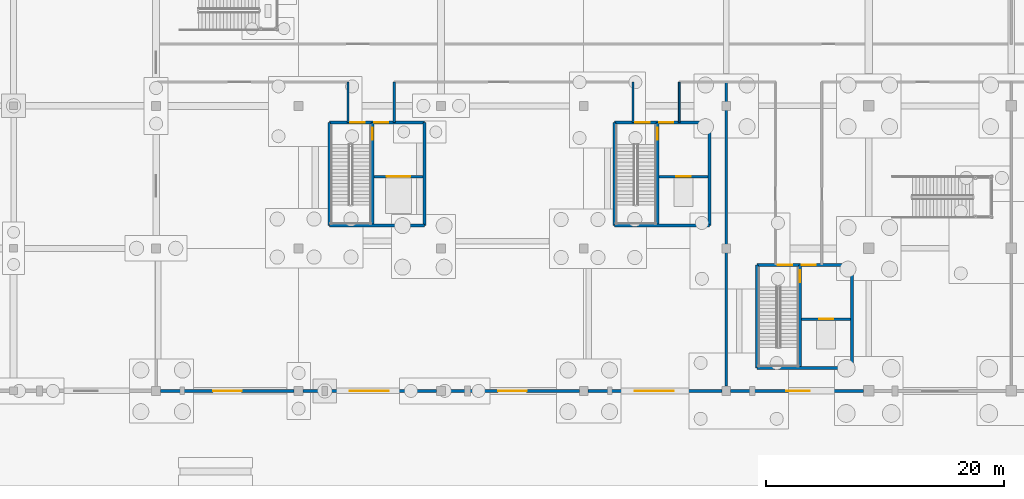
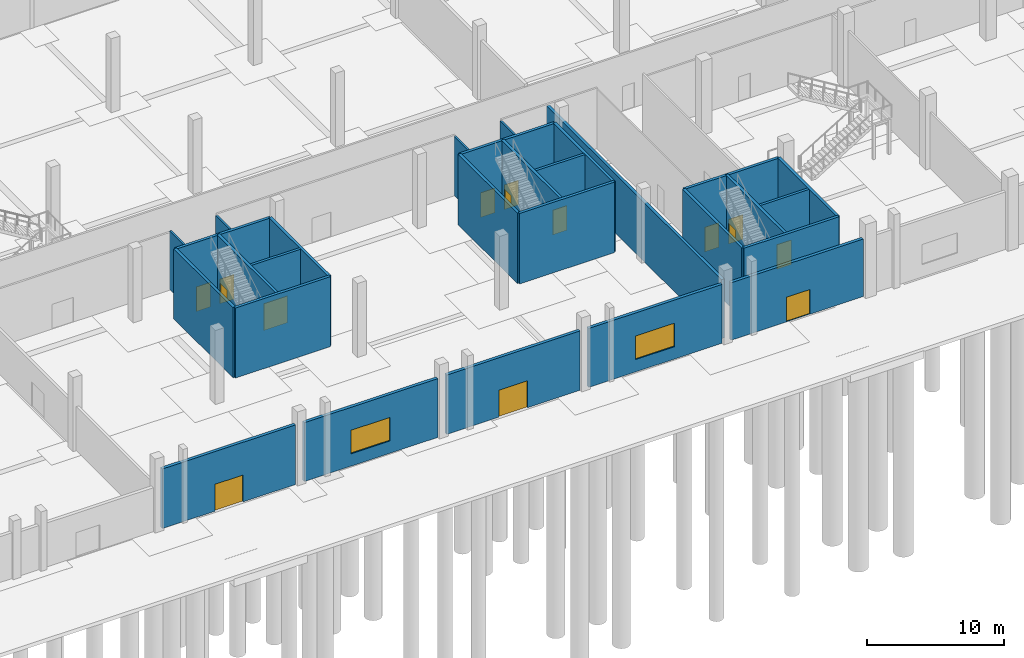
# One storey, part 82 of 117: 28 walls, 15 doors, 2 windows, 17 openings.
"""IFC4 building model written with IfcOpenShell, lengths in metres."""

from ifc_helpers import new_model, si_unit, direction, frame, frame_2d, origin, place, context, subcontext, project, spatial, rectangle, extrude, material, layer, layer_set, type_object, element, fill, save


model = new_model("IFC4")

# Units and contexts
model_context = context("Model", 3, precision=1e-05, world=origin(), true_north=direction((0.0, 1.0)))
body_context = subcontext(model_context, "Body", "Model", "MODEL_VIEW")
ifc_project = project(units=[si_unit("LENGTHUNIT", "METRE"), si_unit("AREAUNIT", "SQUARE_METRE"), si_unit("VOLUMEUNIT", "CUBIC_METRE"), si_unit("PLANEANGLEUNIT", "RADIAN"), si_unit("MASSUNIT", "GRAM", prefix="KILO")], contexts=[model_context])

# Site, building, storey
site_placement = place(None, origin())
site = spatial("IfcSite", under=ifc_project, at=site_placement, CompositionType="ELEMENT")
building_placement = place(site_placement, origin())
building = spatial("IfcBuilding", under=site, at=building_placement, Name="Kamomehara Wholesale Market", CompositionType="ELEMENT")
storey_placement = place(building_placement, origin())
storey = spatial("IfcBuildingStorey", under=building, at=storey_placement, Name="L00", CompositionType="ELEMENT", Elevation=0.0)

# Wall, opening, door
ifc_material_1 = material(Name="Precast concrete Fc45 (C40/50)", Category="concrete")
ifc_layer_1 = layer(ifc_material_1, 0.260009765625)
ifc_layer_set_1 = layer_set([ifc_layer_1], Name="Precast concrete Fc45 (C40/50)")
wall_type_1 = type_object("IfcWallType", Name="EW-PC-260", PredefinedType="SOLIDWALL", material=ifc_layer_set_1)
wall_1_placement = place(storey_placement, frame((71.625, 12.0, 0.0), z_axis=(0.0, 0.0, 1.0), x_axis=(-1.0, 0.0, 0.0)))
wall_1 = element("IfcWall", 1, at=wall_1_placement, inside=storey, type_object=wall_type_1, Name="Exterior wall EW-PC-260 81", PredefinedType="SOLIDWALL", context=body_context, shape_type="SweptSolid", body=[
    extrude(rectangle(XDim=11.25, YDim=0.260009765625, at=frame_2d((5.625, 0.0))), origin(), (0.0, 0.0, 1.0), 5.318115234375),
])
opening_1_placement = place(wall_1_placement, frame((4.425048828125, 0.0, 0.0)))
opening_1 = element("IfcOpeningElement", 2, at=opening_1_placement, cuts=wall_1, Name="Opening ED-L00-V460", PredefinedType="OPENING", context=body_context, shape_type="SweptSolid", body=[
    extrude(rectangle(XDim=2.39990234375, YDim=2.39990234375, at=frame_2d((1.199951171875, 1.199951171875))), frame((0.0, 0.14501953125, 0.0), z_axis=(0.0, -1.0, 0.0), x_axis=(1.0, 0.0, 0.0)), (0.0, 0.0, 1.0), 0.289794921875),
])
ifc_material_2 = material(Name="Anodised aluminium 6063-T5", Category="aluminium")
door_type_1 = type_object("IfcDoorType", Name="EDR-2400x2400", OperationType="NOTDEFINED", PredefinedType="DOOR", material=ifc_material_2)
door_1_placement = place(opening_1_placement, origin())
door_1 = element("IfcDoor", 3, at=door_1_placement, inside=storey, type_object=door_type_1, Name="Fish hall promenade entrance door ED-L00-V460", OperationType="SINGLE_SWING_RIGHT", OverallHeight=2.39990234375, OverallWidth=2.39990234375, PredefinedType="DOOR", context=body_context, shape_type="SweptSolid", body=[
    extrude(rectangle(XDim=2.39990234375, YDim=2.39990234375, at=frame_2d((1.199951171875, 1.199951171875))), frame((0.0, 0.02490234375, 0.0), z_axis=(0.0, -1.0, 0.0), x_axis=(1.0, 0.0, 0.0)), (0.0, 0.0, 1.0), 0.050048828125),
])
fill(opening_1, door_1)

# Wall, opening, window
wall_2_placement = place(storey_placement, frame((83.625, 12.0, 0.0), z_axis=(0.0, 0.0, 1.0), x_axis=(-1.0, 0.0, 0.0)))
wall_2 = element("IfcWall", 4, at=wall_2_placement, inside=storey, type_object=wall_type_1, Name="Exterior wall EW-PC-260 83", PredefinedType="SOLIDWALL", context=body_context, shape_type="SweptSolid", body=[
    extrude(rectangle(XDim=11.25, YDim=0.260009765625, at=frame_2d((5.625, 0.0))), origin(), (0.0, 0.0, 1.0), 5.248046875),
])
opening_2_placement = place(wall_2_placement, frame((4.02490234375, 0.0, 1.10009765625)))
opening_2 = element("IfcOpeningElement", 5, at=opening_2_placement, cuts=wall_2, Name="Opening WN-L00-011", PredefinedType="OPENING", context=body_context, shape_type="SweptSolid", body=[
    extrude(rectangle(XDim=3.300048828125, YDim=2.10009765625, at=frame_2d((1.64990234375, 1.050048828125))), frame((0.0, 0.14501953125, 0.0), z_axis=(0.0, -1.0, 0.0), x_axis=(1.0, 0.0, 0.0)), (0.0, 0.0, 1.0), 0.289794921875),
])
ifc_material_3 = material(Name="Solar-control Low-E double glazing", Category="glass")
window_type = type_object("IfcWindowType", Name="WIN-3300x2100", PartitioningType="SINGLE_PANEL", PredefinedType="WINDOW", material=ifc_material_3)
window_1_placement = place(opening_2_placement, origin())
window_1 = element("IfcWindow", 6, at=window_1_placement, inside=storey, type_object=window_type, Name="Exterior window WN-L00-011", OverallHeight=2.10009765625, OverallWidth=3.300048828125, PartitioningType="SINGLE_PANEL", PredefinedType="WINDOW", context=body_context, shape_type="SweptSolid", body=[
    extrude(rectangle(XDim=3.300048828125, YDim=2.10009765625, at=frame_2d((1.64990234375, 1.050048828125))), frame((0.0, 0.030029296875, 0.0), z_axis=(0.0, -1.0, 0.0), x_axis=(1.0, 0.0, 0.0)), (0.0, 0.0, 1.0), 0.06005859375),
])
fill(opening_2, window_1)

# Wall, opening, door
wall_3_placement = place(storey_placement, frame((95.625, 12.0, 0.0), z_axis=(0.0, 0.0, 1.0), x_axis=(-1.0, 0.0, 0.0)))
wall_3 = element("IfcWall", 7, at=wall_3_placement, inside=storey, type_object=wall_type_1, Name="Exterior wall EW-PC-260 85", PredefinedType="SOLIDWALL", context=body_context, shape_type="SweptSolid", body=[
    extrude(rectangle(XDim=11.25, YDim=0.260009765625, at=frame_2d((5.625, 0.0))), origin(), (0.0, 0.0, 1.0), 5.298095703125),
])
opening_3_placement = place(wall_3_placement, frame((4.425048828125, 0.0, 0.0)))
opening_3 = element("IfcOpeningElement", 8, at=opening_3_placement, cuts=wall_3, Name="Opening ED-L00-V484", PredefinedType="OPENING", context=body_context, shape_type="SweptSolid", body=[
    extrude(rectangle(XDim=2.39990234375, YDim=2.39990234375, at=frame_2d((1.199951171875, 1.199951171875))), frame((0.0, 0.14501953125, 0.0), z_axis=(0.0, -1.0, 0.0), x_axis=(1.0, 0.0, 0.0)), (0.0, 0.0, 1.0), 0.289794921875),
])
door_2_placement = place(opening_3_placement, origin())
door_2 = element("IfcDoor", 9, at=door_2_placement, inside=storey, type_object=door_type_1, Name="Fish hall promenade entrance door ED-L00-V484", OperationType="SINGLE_SWING_LEFT", OverallHeight=2.39990234375, OverallWidth=2.39990234375, PredefinedType="DOOR", context=body_context, shape_type="SweptSolid", body=[
    extrude(rectangle(XDim=2.39990234375, YDim=2.39990234375, at=frame_2d((1.199951171875, 1.199951171875))), frame((0.0, 0.02490234375, 0.0), z_axis=(0.0, -1.0, 0.0), x_axis=(1.0, 0.0, 0.0)), (0.0, 0.0, 1.0), 0.050048828125),
])
fill(opening_3, door_2)

# Wall, opening, window
wall_4_placement = place(storey_placement, frame((107.625, 12.0, 0.0), z_axis=(0.0, 0.0, 1.0), x_axis=(-1.0, 0.0, 0.0)))
wall_4 = element("IfcWall", 10, at=wall_4_placement, inside=storey, type_object=wall_type_1, Name="Exterior wall EW-PC-260 87", PredefinedType="SOLIDWALL", context=body_context, shape_type="SweptSolid", body=[
    extrude(rectangle(XDim=11.25, YDim=0.260009765625, at=frame_2d((5.625, 0.0))), origin(), (0.0, 0.0, 1.0), 5.258056640625),
])
opening_4_placement = place(wall_4_placement, frame((4.02490234375, 0.0, 1.10009765625)))
opening_4 = element("IfcOpeningElement", 11, at=opening_4_placement, cuts=wall_4, Name="Opening WN-L00-013", PredefinedType="OPENING", context=body_context, shape_type="SweptSolid", body=[
    extrude(rectangle(XDim=3.300048828125, YDim=2.10009765625, at=frame_2d((1.64990234375, 1.050048828125))), frame((0.0, 0.14501953125, 0.0), z_axis=(0.0, -1.0, 0.0), x_axis=(1.0, 0.0, 0.0)), (0.0, 0.0, 1.0), 0.289794921875),
])
window_2_placement = place(opening_4_placement, origin())
window_2 = element("IfcWindow", 12, at=window_2_placement, inside=storey, type_object=window_type, Name="Exterior window WN-L00-013", OverallHeight=2.10009765625, OverallWidth=3.300048828125, PartitioningType="SINGLE_PANEL", PredefinedType="WINDOW", context=body_context, shape_type="SweptSolid", body=[
    extrude(rectangle(XDim=3.300048828125, YDim=2.10009765625, at=frame_2d((1.64990234375, 1.050048828125))), frame((0.0, 0.030029296875, 0.0), z_axis=(0.0, -1.0, 0.0), x_axis=(1.0, 0.0, 0.0)), (0.0, 0.0, 1.0), 0.06005859375),
])
fill(opening_4, window_2)

# Wall, opening, door
wall_5_placement = place(storey_placement, frame((119.550048828125, 12.0, 0.0), z_axis=(0.0, 0.0, 1.0), x_axis=(-1.0, 0.0, 0.0)))
wall_5 = element("IfcWall", 13, at=wall_5_placement, inside=storey, type_object=wall_type_1, Name="Exterior wall EW-PC-260 93", PredefinedType="SOLIDWALL", context=body_context, shape_type="SweptSolid", body=[
    extrude(rectangle(XDim=11.175048828125, YDim=0.260009765625, at=frame_2d((5.58740234375, 0.0))), origin(), (0.0, 0.0, 1.0), 5.1279296875),
])
opening_5_placement = place(wall_5_placement, frame((4.5, 0.0, 0.0)))
opening_5 = element("IfcOpeningElement", 14, at=opening_5_placement, cuts=wall_5, Name="Opening ED-L00-V5108", PredefinedType="OPENING", context=body_context, shape_type="SweptSolid", body=[
    extrude(rectangle(XDim=2.0, YDim=2.199951171875, at=frame_2d((1.0, 1.10009765625))), frame((0.0, 0.14501953125, 0.0), z_axis=(0.0, -1.0, 0.0), x_axis=(1.0, 0.0, 0.0)), (0.0, 0.0, 1.0), 0.289794921875),
])
ifc_material_4 = material(Name="Anodised aluminium 6063-T5", Category="aluminium")
door_type_2 = type_object("IfcDoorType", Name="EDR-2000x2200", OperationType="NOTDEFINED", PredefinedType="DOOR", material=ifc_material_4)
door_3_placement = place(opening_5_placement, origin())
door_3 = element("IfcDoor", 15, at=door_3_placement, inside=storey, type_object=door_type_2, Name="Boulevard cafe entrance door ED-L00-V5108", OperationType="SINGLE_SWING_RIGHT", OverallHeight=2.199951171875, OverallWidth=2.0, PredefinedType="DOOR", context=body_context, shape_type="SweptSolid", body=[
    extrude(rectangle(XDim=2.0, YDim=2.199951171875, at=frame_2d((1.0, 1.10009765625))), frame((0.0, 0.02490234375, 0.0), z_axis=(0.0, -1.0, 0.0), x_axis=(1.0, 0.0, 0.0)), (0.0, 0.0, 1.0), 0.050048828125),
])
fill(opening_5, door_3)

# Walls
ifc_material_5 = material(Name="Gypsum board partition")
ifc_layer_2 = layer(ifc_material_5, 0.14990234375)
ifc_layer_set_2 = layer_set([ifc_layer_2], Name="Gypsum board partition")
wall_type_2 = type_object("IfcWallType", Name="IW-PRT-150", PredefinedType="PARTITIONING", material=ifc_layer_set_2)
wall_6_placement = place(storey_placement, frame((76.14990234375, 34.60009765625, 0.0), z_axis=(0.0, 0.0, 1.0), x_axis=(0.0, 1.0, 0.0)))
element("IfcWall", 16, at=wall_6_placement, inside=storey, type_object=wall_type_2, Name="Interior wall IW-PRT-150 242", PredefinedType="PARTITIONING", context=body_context, shape_type="SweptSolid", body=[
    extrude(rectangle(XDim=3.39990234375, YDim=0.14990234375, at=frame_2d((1.699951171875, 0.0))), origin(), (0.0, 0.0, 1.0), 5.23291015625),
])
for number, where, z_axis, x_axis, name in (
    (17, (100.14990234375, 34.60009765625, 0.0), (0.0, 0.0, 1.0), (0.0, 1.0, 0.0), "Interior wall IW-PRT-150 245"),
    (18, (104.050048828125, 34.60009765625, 0.0), (0.0, 0.0, 1.0), (0.0, 1.0, 0.0), "Interior wall IW-PRT-150 246"),
):
    element("IfcWall", number, at=place(storey_placement, frame(where, z_axis=z_axis, x_axis=x_axis)), inside=storey, type_object=wall_type_2, Name=name, PredefinedType="PARTITIONING", context=body_context, shape_type="SweptSolid", body=[
        extrude(rectangle(XDim=3.39990234375, YDim=0.14990234375, at=frame_2d((1.699951171875, 0.0))), origin(), (0.0, 0.0, 1.0), 5.27294921875),
    ])
ifc_material_6 = material(Name="Gypsum board partition")
ifc_layer_3 = layer(ifc_material_6, 0.175048828125)
ifc_layer_set_3 = layer_set([ifc_layer_3], Name="Gypsum board partition")
wall_type_3 = type_object("IfcWallType", Name="IW-PRT-175", PredefinedType="PARTITIONING", material=ifc_layer_set_3)
wall_7_placement = place(storey_placement, frame((80.050048828125, 34.60009765625, 0.0), z_axis=(0.0, 0.0, 1.0), x_axis=(0.0, 1.0, 0.0)))
element("IfcWall", 19, at=wall_7_placement, inside=storey, type_object=wall_type_3, Name="Interior wall IW-PRT-175 243", PredefinedType="PARTITIONING", context=body_context, shape_type="SweptSolid", body=[
    extrude(rectangle(XDim=3.39990234375, YDim=0.175048828125, at=frame_2d((1.699951171875, 0.0))), origin(), (0.0, 0.0, 1.0), 5.23291015625),
])

# Wall, opening, door
ifc_material_7 = material(Name="Concrete Fc36 (C35/45)", Category="concrete")
ifc_layer_4 = layer(ifc_material_7, 0.219970703125)
ifc_layer_set_4 = layer_set([ifc_layer_4], Name="Concrete Fc36 (C35/45)")
wall_type_4 = type_object("IfcWallType", Name="IW-SHR-220", PredefinedType="SHEAR", material=ifc_layer_set_4)
wall_8_placement = place(storey_placement, frame((78.340087890625, 30.0400390625, 0.0), z_axis=(0.0, 0.0, 1.0), x_axis=(1.0, 0.0, 0.0)))
wall_8 = element("IfcWall", 20, at=wall_8_placement, inside=storey, type_object=wall_type_4, Name="Interior wall IW-SHR-220 66", PredefinedType="SHEAR", context=body_context, shape_type="SweptSolid", body=[
    extrude(rectangle(XDim=4.139892578125, YDim=0.219970703125, at=frame_2d((2.06982421875, 0.0))), origin(), (0.0, 0.0, 1.0), 6.25),
])
opening_6_placement = place(wall_8_placement, frame((1.070068359375, 0.0, 0.0)))
opening_6 = element("IfcOpeningElement", 21, at=opening_6_placement, cuts=wall_8, Name="Opening LD-LF-04-L00", PredefinedType="OPENING", context=body_context, shape_type="SweptSolid", body=[
    extrude(rectangle(XDim=2.0, YDim=2.39990234375, at=frame_2d((1.0, 1.199951171875))), frame((0.0, 0.125, 0.0), z_axis=(0.0, -1.0, 0.0), x_axis=(1.0, 0.0, 0.0)), (0.0, 0.0, 1.0), 0.249755859375),
])
ifc_material_8 = material(Name="Steel SN400B", Category="steel")
door_type_3 = type_object("IfcDoorType", Name="LDR-GDS-2000x2400", OperationType="DOUBLE_DOOR_SLIDING", PredefinedType="DOOR", material=ifc_material_8)
door_4_placement = place(opening_6_placement, origin())
door_4 = element("IfcDoor", 22, at=door_4_placement, inside=storey, type_object=door_type_3, Name="Lift sliding landing door LD-LF-04-L00", OperationType="DOUBLE_DOOR_SLIDING", OverallHeight=2.39990234375, OverallWidth=2.0, PredefinedType="DOOR", context=body_context, shape_type="SweptSolid", body=[
    extrude(rectangle(XDim=2.0, YDim=2.39990234375, at=frame_2d((1.0, 1.199951171875))), frame((0.0, 0.02490234375, 0.0), z_axis=(0.0, -1.0, 0.0), x_axis=(1.0, 0.0, 0.0)), (0.0, 0.0, 1.0), 0.050048828125),
])
fill(opening_6, door_4)

wall_9_placement = place(storey_placement, frame((102.340087890625, 30.0400390625, 0.0), z_axis=(0.0, 0.0, 1.0), x_axis=(1.0, 0.0, 0.0)))
wall_9 = element("IfcWall", 23, at=wall_9_placement, inside=storey, type_object=wall_type_4, Name="Interior wall IW-SHR-220 78", PredefinedType="SHEAR", context=body_context, shape_type="SweptSolid", body=[
    extrude(rectangle(XDim=4.139892578125, YDim=0.219970703125, at=frame_2d((2.06982421875, 0.0))), origin(), (0.0, 0.0, 1.0), 6.2900390625),
])
opening_7_placement = place(wall_9_placement, frame((1.469970703125, 0.0, 0.0)))
opening_7 = element("IfcOpeningElement", 24, at=opening_7_placement, cuts=wall_9, Name="Opening LD-LP-02-L00", PredefinedType="OPENING", context=body_context, shape_type="SweptSolid", body=[
    extrude(rectangle(XDim=1.199951171875, YDim=2.199951171875, at=frame_2d((0.60009765625, 1.10009765625))), frame((0.0, 0.125, 0.0), z_axis=(0.0, -1.0, 0.0), x_axis=(1.0, 0.0, 0.0)), (0.0, 0.0, 1.0), 0.249755859375),
])
ifc_material_9 = material(Name="Steel SN400B", Category="steel")
door_type_4 = type_object("IfcDoorType", Name="LDR-PAX-1200x2200", OperationType="DOUBLE_DOOR_SLIDING", PredefinedType="DOOR", material=ifc_material_9)
door_5_placement = place(opening_7_placement, origin())
door_5 = element("IfcDoor", 25, at=door_5_placement, inside=storey, type_object=door_type_4, Name="Lift sliding landing door LD-LP-02-L00", OperationType="DOUBLE_DOOR_SLIDING", OverallHeight=2.199951171875, OverallWidth=1.199951171875, PredefinedType="DOOR", context=body_context, shape_type="SweptSolid", body=[
    extrude(rectangle(XDim=1.199951171875, YDim=2.199951171875, at=frame_2d((0.60009765625, 1.10009765625))), frame((0.0, 0.02490234375, 0.0), z_axis=(0.0, -1.0, 0.0), x_axis=(1.0, 0.0, 0.0)), (0.0, 0.0, 1.0), 0.050048828125),
])
fill(opening_7, door_5)

wall_10_placement = place(storey_placement, frame((114.340087890625, 18.0400390625, 0.0), z_axis=(0.0, 0.0, 1.0), x_axis=(1.0, 0.0, 0.0)))
wall_10 = element("IfcWall", 26, at=wall_10_placement, inside=storey, type_object=wall_type_4, Name="Interior wall IW-SHR-220 90", PredefinedType="SHEAR", context=body_context, shape_type="SweptSolid", body=[
    extrude(rectangle(XDim=4.139892578125, YDim=0.219970703125, at=frame_2d((2.06982421875, 0.0))), origin(), (0.0, 0.0, 1.0), 6.260009765625),
])
opening_8_placement = place(wall_10_placement, frame((1.469970703125, 0.0, 0.0)))
opening_8 = element("IfcOpeningElement", 27, at=opening_8_placement, cuts=wall_10, Name="Opening LD-LP-03-L00", PredefinedType="OPENING", context=body_context, shape_type="SweptSolid", body=[
    extrude(rectangle(XDim=1.199951171875, YDim=2.199951171875, at=frame_2d((0.60009765625, 1.10009765625))), frame((0.0, 0.125, 0.0), z_axis=(0.0, -1.0, 0.0), x_axis=(1.0, 0.0, 0.0)), (0.0, 0.0, 1.0), 0.249755859375),
])
door_6_placement = place(opening_8_placement, origin())
door_6 = element("IfcDoor", 28, at=door_6_placement, inside=storey, type_object=door_type_4, Name="Lift sliding landing door LD-LP-03-L00", OperationType="DOUBLE_DOOR_SLIDING", OverallHeight=2.199951171875, OverallWidth=1.199951171875, PredefinedType="DOOR", context=body_context, shape_type="SweptSolid", body=[
    extrude(rectangle(XDim=1.199951171875, YDim=2.199951171875, at=frame_2d((0.60009765625, 1.10009765625))), frame((0.0, 0.02490234375, 0.0), z_axis=(0.0, -1.0, 0.0), x_axis=(1.0, 0.0, 0.0)), (0.0, 0.0, 1.0), 0.050048828125),
])
fill(opening_8, door_6)

# Walls
ifc_material_10 = material(Name="Concrete Fc36 (C35/45)", Category="concrete")
ifc_layer_5 = layer(ifc_material_10, 0.239990234375)
ifc_layer_set_5 = layer_set([ifc_layer_5], Name="Concrete Fc36 (C35/45)")
wall_type_5 = type_object("IfcWallType", Name="IW-SHR-240", PredefinedType="SHEAR", material=ifc_layer_set_5)
wall_11_placement = place(storey_placement, frame((74.580078125, 34.60009765625, 0.0), z_axis=(0.0, 0.0, 1.0), x_axis=(0.0, -1.0, 0.0)))
element("IfcWall", 29, at=wall_11_placement, inside=storey, type_object=wall_type_5, Name="Interior wall IW-SHR-240 61", PredefinedType="SHEAR", context=body_context, shape_type="SweptSolid", body=[
    extrude(rectangle(XDim=8.670166015625, YDim=0.239990234375, at=frame_2d((4.3349609375, 0.0))), origin(), (0.0, 0.0, 1.0), 6.25),
])
wall_12_placement = place(storey_placement, frame((74.580078125, 25.929931640625, 0.0), z_axis=(0.0, 0.0, 1.0), x_axis=(1.0, 0.0, 0.0)))
element("IfcWall", 30, at=wall_12_placement, inside=storey, type_object=wall_type_5, Name="Interior wall IW-SHR-240 62", PredefinedType="SHEAR", context=body_context, shape_type="SweptSolid", body=[
    extrude(rectangle(XDim=8.02001953125, YDim=0.239990234375, at=frame_2d((4.010009765625, 0.0))), origin(), (0.0, 0.0, 1.0), 6.25),
])

# Wall, opening, door
wall_13_placement = place(storey_placement, frame((78.219970703125, 25.929931640625, 0.0), z_axis=(0.0, 0.0, 1.0), x_axis=(0.0, 1.0, 0.0)))
wall_13 = element("IfcWall", 31, at=wall_13_placement, inside=storey, type_object=wall_type_5, Name="Interior wall IW-SHR-240 63", PredefinedType="SHEAR", context=body_context, shape_type="SweptSolid", body=[
    extrude(rectangle(XDim=8.670166015625, YDim=0.239990234375, at=frame_2d((4.3349609375, 0.0))), origin(), (0.0, 0.0, 1.0), 6.25),
])
opening_9_placement = place(wall_13_placement, frame((7.219970703125, 0.0, 0.0)))
opening_9 = element("IfcOpeningElement", 32, at=opening_9_placement, cuts=wall_13, Name="Opening FD-L00-C5I", PredefinedType="OPENING", context=body_context, shape_type="SweptSolid", body=[
    extrude(rectangle(XDim=1.0, YDim=2.199951171875, at=frame_2d((0.5, 1.10009765625))), frame((0.0, 0.134765625, 0.0), z_axis=(0.0, -1.0, 0.0), x_axis=(1.0, 0.0, 0.0)), (0.0, 0.0, 1.0), 0.269775390625),
])
ifc_material_11 = material(Name="Anodised aluminium 6063-T5", Category="aluminium")
door_type_5 = type_object("IfcDoorType", Name="IDR-RM-1000x2200", OperationType="NOTDEFINED", PredefinedType="DOOR", material=ifc_material_11)
door_7_placement = place(opening_9_placement, origin())
door_7 = element("IfcDoor", 33, at=door_7_placement, inside=storey, type_object=door_type_5, Name="Core lobby-stair fire door FD-L00-C5I", OperationType="SINGLE_SWING_LEFT", OverallHeight=2.199951171875, OverallWidth=1.0, PredefinedType="DOOR", context=body_context, shape_type="SweptSolid", body=[
    extrude(rectangle(XDim=1.0, YDim=2.199951171875, at=frame_2d((0.5, 1.10009765625))), frame((0.0, 0.02490234375, 0.0), z_axis=(0.0, -1.0, 0.0), x_axis=(1.0, 0.0, 0.0)), (0.0, 0.0, 1.0), 0.050048828125),
])
fill(opening_9, door_7)

# Wall
wall_14_placement = place(storey_placement, frame((82.60009765625, 25.929931640625, 0.0), z_axis=(0.0, 0.0, 1.0), x_axis=(0.0, 1.0, 0.0)))
element("IfcWall", 34, at=wall_14_placement, inside=storey, type_object=wall_type_5, Name="Interior wall IW-SHR-240 64", PredefinedType="SHEAR", context=body_context, shape_type="SweptSolid", body=[
    extrude(rectangle(XDim=8.670166015625, YDim=0.239990234375, at=frame_2d((4.3349609375, 0.0))), origin(), (0.0, 0.0, 1.0), 6.25),
])

# Wall, openings, doors
wall_15_placement = place(storey_placement, frame((74.580078125, 34.60009765625, 0.0), z_axis=(0.0, 0.0, 1.0), x_axis=(1.0, 0.0, 0.0)))
wall_15 = element("IfcWall", 35, at=wall_15_placement, inside=storey, type_object=wall_type_5, Name="Interior wall IW-SHR-240 65", PredefinedType="SHEAR", context=body_context, shape_type="SweptSolid", body=[
    extrude(rectangle(XDim=8.02001953125, YDim=0.239990234375, at=frame_2d((4.010009765625, 0.0))), origin(), (0.0, 0.0, 1.0), 6.25),
])
opening_10_placement = place(wall_15_placement, frame((1.77001953125, 0.0, 0.0)))
opening_10 = element("IfcOpeningElement", 36, at=opening_10_placement, cuts=wall_15, Name="Opening FD-L00-C5S", PredefinedType="OPENING", context=body_context, shape_type="SweptSolid", body=[
    extrude(rectangle(XDim=1.199951171875, YDim=2.199951171875, at=frame_2d((0.60009765625, 1.10009765625))), frame((0.0, 0.134765625, 0.0), z_axis=(0.0, -1.0, 0.0), x_axis=(1.0, 0.0, 0.0)), (0.0, 0.0, 1.0), 0.269775390625),
])
opening_11_placement = place(wall_15_placement, frame((3.77001953125, 0.0, 0.0)))
opening_11 = element("IfcOpeningElement", 37, at=opening_11_placement, cuts=wall_15, Name="Opening FD-L00-C5L", PredefinedType="OPENING", context=body_context, shape_type="SweptSolid", body=[
    extrude(rectangle(XDim=1.199951171875, YDim=2.199951171875, at=frame_2d((0.60009765625, 1.10009765625))), frame((0.0, 0.134765625, 0.0), z_axis=(0.0, -1.0, 0.0), x_axis=(1.0, 0.0, 0.0)), (0.0, 0.0, 1.0), 0.269775390625),
])
ifc_material_12 = material(Name="Steel SN400B", Category="steel")
door_type_6 = type_object("IfcDoorType", Name="IDR-FD-1200x2200", OperationType="NOTDEFINED", PredefinedType="DOOR", material=ifc_material_12)
door_8_placement = place(opening_10_placement, origin())
door_8 = element("IfcDoor", 38, at=door_8_placement, inside=storey, type_object=door_type_6, Name="Stair fire door FD-L00-C5S", OperationType="SINGLE_SWING_RIGHT", OverallHeight=2.199951171875, OverallWidth=1.199951171875, PredefinedType="DOOR", context=body_context, shape_type="SweptSolid", body=[
    extrude(rectangle(XDim=1.199951171875, YDim=2.199951171875, at=frame_2d((0.60009765625, 1.10009765625))), frame((0.0, 0.02490234375, 0.0), z_axis=(0.0, -1.0, 0.0), x_axis=(1.0, 0.0, 0.0)), (0.0, 0.0, 1.0), 0.050048828125),
])
fill(opening_10, door_8)
door_9_placement = place(opening_11_placement, origin())
door_9 = element("IfcDoor", 39, at=door_9_placement, inside=storey, type_object=door_type_6, Name="Lift lobby fire door FD-L00-C5L", OperationType="SINGLE_SWING_LEFT", OverallHeight=2.199951171875, OverallWidth=1.199951171875, PredefinedType="DOOR", context=body_context, shape_type="SweptSolid", body=[
    extrude(rectangle(XDim=1.199951171875, YDim=2.199951171875, at=frame_2d((0.60009765625, 1.10009765625))), frame((0.0, 0.02490234375, 0.0), z_axis=(0.0, -1.0, 0.0), x_axis=(1.0, 0.0, 0.0)), (0.0, 0.0, 1.0), 0.050048828125),
])
fill(opening_11, door_9)

# Walls
wall_16_placement = place(storey_placement, frame((98.580078125, 34.60009765625, 0.0), z_axis=(0.0, 0.0, 1.0), x_axis=(0.0, -1.0, 0.0)))
element("IfcWall", 40, at=wall_16_placement, inside=storey, type_object=wall_type_5, Name="Interior wall IW-SHR-240 73", PredefinedType="SHEAR", context=body_context, shape_type="SweptSolid", body=[
    extrude(rectangle(XDim=8.670166015625, YDim=0.239990234375, at=frame_2d((4.3349609375, 0.0))), origin(), (0.0, 0.0, 1.0), 6.2900390625),
])
wall_17_placement = place(storey_placement, frame((98.580078125, 25.929931640625, 0.0), z_axis=(0.0, 0.0, 1.0), x_axis=(1.0, 0.0, 0.0)))
element("IfcWall", 41, at=wall_17_placement, inside=storey, type_object=wall_type_5, Name="Interior wall IW-SHR-240 74", PredefinedType="SHEAR", context=body_context, shape_type="SweptSolid", body=[
    extrude(rectangle(XDim=8.02001953125, YDim=0.239990234375, at=frame_2d((4.010009765625, 0.0))), origin(), (0.0, 0.0, 1.0), 6.2900390625),
])

# Wall, opening, door
wall_18_placement = place(storey_placement, frame((102.219970703125, 25.929931640625, 0.0), z_axis=(0.0, 0.0, 1.0), x_axis=(0.0, 1.0, 0.0)))
wall_18 = element("IfcWall", 42, at=wall_18_placement, inside=storey, type_object=wall_type_5, Name="Interior wall IW-SHR-240 75", PredefinedType="SHEAR", context=body_context, shape_type="SweptSolid", body=[
    extrude(rectangle(XDim=8.670166015625, YDim=0.239990234375, at=frame_2d((4.3349609375, 0.0))), origin(), (0.0, 0.0, 1.0), 6.2900390625),
])
opening_12_placement = place(wall_18_placement, frame((7.219970703125, 0.0, 0.0)))
opening_12 = element("IfcOpeningElement", 43, at=opening_12_placement, cuts=wall_18, Name="Opening FD-L00-C6I", PredefinedType="OPENING", context=body_context, shape_type="SweptSolid", body=[
    extrude(rectangle(XDim=1.0, YDim=2.199951171875, at=frame_2d((0.5, 1.10009765625))), frame((0.0, 0.134765625, 0.0), z_axis=(0.0, -1.0, 0.0), x_axis=(1.0, 0.0, 0.0)), (0.0, 0.0, 1.0), 0.269775390625),
])
door_10_placement = place(opening_12_placement, origin())
door_10 = element("IfcDoor", 44, at=door_10_placement, inside=storey, type_object=door_type_5, Name="Core lobby-stair fire door FD-L00-C6I", OperationType="SINGLE_SWING_RIGHT", OverallHeight=2.199951171875, OverallWidth=1.0, PredefinedType="DOOR", context=body_context, shape_type="SweptSolid", body=[
    extrude(rectangle(XDim=1.0, YDim=2.199951171875, at=frame_2d((0.5, 1.10009765625))), frame((0.0, 0.02490234375, 0.0), z_axis=(0.0, -1.0, 0.0), x_axis=(1.0, 0.0, 0.0)), (0.0, 0.0, 1.0), 0.050048828125),
])
fill(opening_12, door_10)

# Wall
wall_19_placement = place(storey_placement, frame((106.60009765625, 25.929931640625, 0.0), z_axis=(0.0, 0.0, 1.0), x_axis=(0.0, 1.0, 0.0)))
element("IfcWall", 45, at=wall_19_placement, inside=storey, type_object=wall_type_5, Name="Interior wall IW-SHR-240 76", PredefinedType="SHEAR", context=body_context, shape_type="SweptSolid", body=[
    extrude(rectangle(XDim=8.670166015625, YDim=0.239990234375, at=frame_2d((4.3349609375, 0.0))), origin(), (0.0, 0.0, 1.0), 6.2900390625),
])

# Wall, openings, doors
wall_20_placement = place(storey_placement, frame((98.580078125, 34.60009765625, 0.0), z_axis=(0.0, 0.0, 1.0), x_axis=(1.0, 0.0, 0.0)))
wall_20 = element("IfcWall", 46, at=wall_20_placement, inside=storey, type_object=wall_type_5, Name="Interior wall IW-SHR-240 77", PredefinedType="SHEAR", context=body_context, shape_type="SweptSolid", body=[
    extrude(rectangle(XDim=8.02001953125, YDim=0.239990234375, at=frame_2d((4.010009765625, 0.0))), origin(), (0.0, 0.0, 1.0), 6.2900390625),
])
opening_13_placement = place(wall_20_placement, frame((1.77001953125, 0.0, 0.0)))
opening_13 = element("IfcOpeningElement", 47, at=opening_13_placement, cuts=wall_20, Name="Opening FD-L00-C6S", PredefinedType="OPENING", context=body_context, shape_type="SweptSolid", body=[
    extrude(rectangle(XDim=1.199951171875, YDim=2.199951171875, at=frame_2d((0.60009765625, 1.10009765625))), frame((0.0, 0.134765625, 0.0), z_axis=(0.0, -1.0, 0.0), x_axis=(1.0, 0.0, 0.0)), (0.0, 0.0, 1.0), 0.269775390625),
])
opening_14_placement = place(wall_20_placement, frame((3.77001953125, 0.0, 0.0)))
opening_14 = element("IfcOpeningElement", 48, at=opening_14_placement, cuts=wall_20, Name="Opening FD-L00-C6L", PredefinedType="OPENING", context=body_context, shape_type="SweptSolid", body=[
    extrude(rectangle(XDim=1.199951171875, YDim=2.199951171875, at=frame_2d((0.60009765625, 1.10009765625))), frame((0.0, 0.134765625, 0.0), z_axis=(0.0, -1.0, 0.0), x_axis=(1.0, 0.0, 0.0)), (0.0, 0.0, 1.0), 0.269775390625),
])
door_11_placement = place(opening_13_placement, origin())
door_11 = element("IfcDoor", 49, at=door_11_placement, inside=storey, type_object=door_type_6, Name="Stair fire door FD-L00-C6S", OperationType="SINGLE_SWING_LEFT", OverallHeight=2.199951171875, OverallWidth=1.199951171875, PredefinedType="DOOR", context=body_context, shape_type="SweptSolid", body=[
    extrude(rectangle(XDim=1.199951171875, YDim=2.199951171875, at=frame_2d((0.60009765625, 1.10009765625))), frame((0.0, 0.02490234375, 0.0), z_axis=(0.0, -1.0, 0.0), x_axis=(1.0, 0.0, 0.0)), (0.0, 0.0, 1.0), 0.050048828125),
])
fill(opening_13, door_11)
door_12_placement = place(opening_14_placement, origin())
door_12 = element("IfcDoor", 50, at=door_12_placement, inside=storey, type_object=door_type_6, Name="Lift lobby fire door FD-L00-C6L", OperationType="SINGLE_SWING_RIGHT", OverallHeight=2.199951171875, OverallWidth=1.199951171875, PredefinedType="DOOR", context=body_context, shape_type="SweptSolid", body=[
    extrude(rectangle(XDim=1.199951171875, YDim=2.199951171875, at=frame_2d((0.60009765625, 1.10009765625))), frame((0.0, 0.02490234375, 0.0), z_axis=(0.0, -1.0, 0.0), x_axis=(1.0, 0.0, 0.0)), (0.0, 0.0, 1.0), 0.050048828125),
])
fill(opening_14, door_12)

# Walls
wall_21_placement = place(storey_placement, frame((110.580078125, 22.60009765625, 0.0), z_axis=(0.0, 0.0, 1.0), x_axis=(0.0, -1.0, 0.0)))
element("IfcWall", 51, at=wall_21_placement, inside=storey, type_object=wall_type_5, Name="Interior wall IW-SHR-240 85", PredefinedType="SHEAR", context=body_context, shape_type="SweptSolid", body=[
    extrude(rectangle(XDim=8.670166015625, YDim=0.239990234375, at=frame_2d((4.3349609375, 0.0))), origin(), (0.0, 0.0, 1.0), 6.260009765625),
])
wall_22_placement = place(storey_placement, frame((110.580078125, 13.929931640625, 0.0), z_axis=(0.0, 0.0, 1.0), x_axis=(1.0, 0.0, 0.0)))
element("IfcWall", 52, at=wall_22_placement, inside=storey, type_object=wall_type_5, Name="Interior wall IW-SHR-240 86", PredefinedType="SHEAR", context=body_context, shape_type="SweptSolid", body=[
    extrude(rectangle(XDim=8.02001953125, YDim=0.239990234375, at=frame_2d((4.010009765625, 0.0))), origin(), (0.0, 0.0, 1.0), 6.260009765625),
])

# Wall, opening, door
wall_23_placement = place(storey_placement, frame((114.219970703125, 13.929931640625, 0.0), z_axis=(0.0, 0.0, 1.0), x_axis=(0.0, 1.0, 0.0)))
wall_23 = element("IfcWall", 53, at=wall_23_placement, inside=storey, type_object=wall_type_5, Name="Interior wall IW-SHR-240 87", PredefinedType="SHEAR", context=body_context, shape_type="SweptSolid", body=[
    extrude(rectangle(XDim=8.670166015625, YDim=0.239990234375, at=frame_2d((4.3349609375, 0.0))), origin(), (0.0, 0.0, 1.0), 6.260009765625),
])
opening_15_placement = place(wall_23_placement, frame((7.219970703125, 0.0, 0.0)))
opening_15 = element("IfcOpeningElement", 54, at=opening_15_placement, cuts=wall_23, Name="Opening FD-L00-C7I", PredefinedType="OPENING", context=body_context, shape_type="SweptSolid", body=[
    extrude(rectangle(XDim=1.0, YDim=2.199951171875, at=frame_2d((0.5, 1.10009765625))), frame((0.0, 0.134765625, 0.0), z_axis=(0.0, -1.0, 0.0), x_axis=(1.0, 0.0, 0.0)), (0.0, 0.0, 1.0), 0.269775390625),
])
door_13_placement = place(opening_15_placement, origin())
door_13 = element("IfcDoor", 55, at=door_13_placement, inside=storey, type_object=door_type_5, Name="Core lobby-stair fire door FD-L00-C7I", OperationType="SINGLE_SWING_LEFT", OverallHeight=2.199951171875, OverallWidth=1.0, PredefinedType="DOOR", context=body_context, shape_type="SweptSolid", body=[
    extrude(rectangle(XDim=1.0, YDim=2.199951171875, at=frame_2d((0.5, 1.10009765625))), frame((0.0, 0.02490234375, 0.0), z_axis=(0.0, -1.0, 0.0), x_axis=(1.0, 0.0, 0.0)), (0.0, 0.0, 1.0), 0.050048828125),
])
fill(opening_15, door_13)

# Wall
wall_24_placement = place(storey_placement, frame((118.60009765625, 13.929931640625, 0.0), z_axis=(0.0, 0.0, 1.0), x_axis=(0.0, 1.0, 0.0)))
element("IfcWall", 56, at=wall_24_placement, inside=storey, type_object=wall_type_5, Name="Interior wall IW-SHR-240 88", PredefinedType="SHEAR", context=body_context, shape_type="SweptSolid", body=[
    extrude(rectangle(XDim=8.670166015625, YDim=0.239990234375, at=frame_2d((4.3349609375, 0.0))), origin(), (0.0, 0.0, 1.0), 6.260009765625),
])

# Wall, openings, doors
wall_25_placement = place(storey_placement, frame((110.580078125, 22.60009765625, 0.0), z_axis=(0.0, 0.0, 1.0), x_axis=(1.0, 0.0, 0.0)))
wall_25 = element("IfcWall", 57, at=wall_25_placement, inside=storey, type_object=wall_type_5, Name="Interior wall IW-SHR-240 89", PredefinedType="SHEAR", context=body_context, shape_type="SweptSolid", body=[
    extrude(rectangle(XDim=8.02001953125, YDim=0.239990234375, at=frame_2d((4.010009765625, 0.0))), origin(), (0.0, 0.0, 1.0), 6.260009765625),
])
opening_16_placement = place(wall_25_placement, frame((1.77001953125, 0.0, 0.0)))
opening_16 = element("IfcOpeningElement", 58, at=opening_16_placement, cuts=wall_25, Name="Opening FD-L00-C7S", PredefinedType="OPENING", context=body_context, shape_type="SweptSolid", body=[
    extrude(rectangle(XDim=1.199951171875, YDim=2.199951171875, at=frame_2d((0.60009765625, 1.10009765625))), frame((0.0, 0.134765625, 0.0), z_axis=(0.0, -1.0, 0.0), x_axis=(1.0, 0.0, 0.0)), (0.0, 0.0, 1.0), 0.269775390625),
])
opening_17_placement = place(wall_25_placement, frame((3.77001953125, 0.0, 0.0)))
opening_17 = element("IfcOpeningElement", 59, at=opening_17_placement, cuts=wall_25, Name="Opening FD-L00-C7L", PredefinedType="OPENING", context=body_context, shape_type="SweptSolid", body=[
    extrude(rectangle(XDim=1.199951171875, YDim=2.199951171875, at=frame_2d((0.60009765625, 1.10009765625))), frame((0.0, 0.134765625, 0.0), z_axis=(0.0, -1.0, 0.0), x_axis=(1.0, 0.0, 0.0)), (0.0, 0.0, 1.0), 0.269775390625),
])
door_14_placement = place(opening_16_placement, origin())
door_14 = element("IfcDoor", 60, at=door_14_placement, inside=storey, type_object=door_type_6, Name="Stair fire door FD-L00-C7S", OperationType="SINGLE_SWING_RIGHT", OverallHeight=2.199951171875, OverallWidth=1.199951171875, PredefinedType="DOOR", context=body_context, shape_type="SweptSolid", body=[
    extrude(rectangle(XDim=1.199951171875, YDim=2.199951171875, at=frame_2d((0.60009765625, 1.10009765625))), frame((0.0, 0.02490234375, 0.0), z_axis=(0.0, -1.0, 0.0), x_axis=(1.0, 0.0, 0.0)), (0.0, 0.0, 1.0), 0.050048828125),
])
fill(opening_16, door_14)
door_15_placement = place(opening_17_placement, origin())
door_15 = element("IfcDoor", 61, at=door_15_placement, inside=storey, type_object=door_type_6, Name="Lift lobby fire door FD-L00-C7L", OperationType="SINGLE_SWING_LEFT", OverallHeight=2.199951171875, OverallWidth=1.199951171875, PredefinedType="DOOR", context=body_context, shape_type="SweptSolid", body=[
    extrude(rectangle(XDim=1.199951171875, YDim=2.199951171875, at=frame_2d((0.60009765625, 1.10009765625))), frame((0.0, 0.02490234375, 0.0), z_axis=(0.0, -1.0, 0.0), x_axis=(1.0, 0.0, 0.0)), (0.0, 0.0, 1.0), 0.050048828125),
])
fill(opening_17, door_15)

# Wall
wall_26_placement = place(storey_placement, frame((108.0, 12.39990234375, 0.0), z_axis=(0.0, 0.0, 1.0), x_axis=(0.0, 1.0, 0.0)))
element("IfcWall", 62, at=wall_26_placement, inside=storey, type_object=wall_type_5, Name="Interior wall IW-SHR-240 257", PredefinedType="SHEAR", context=body_context, shape_type="SweptSolid", body=[
    extrude(rectangle(XDim=25.60009765625, YDim=0.239990234375, at=frame_2d((12.800048828125, 0.0))), origin(), (0.0, 0.0, 1.0), 5.262939453125),
])

save(model, "model.ifc")
